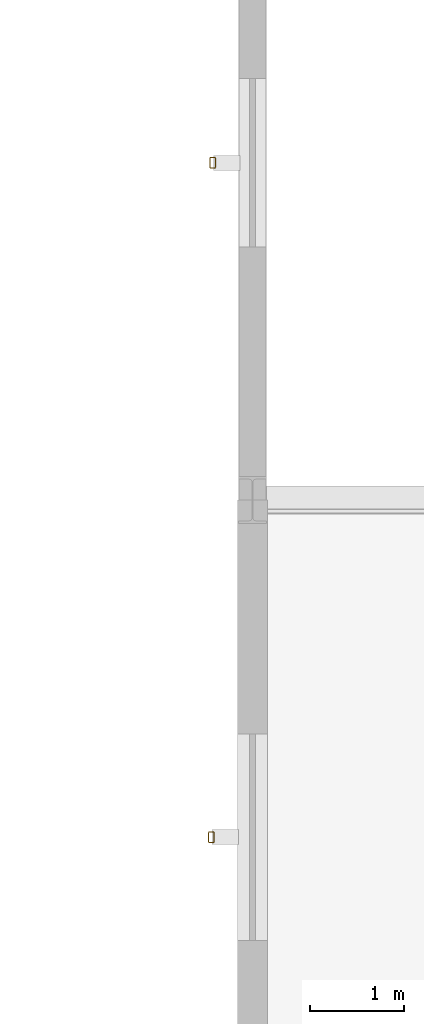
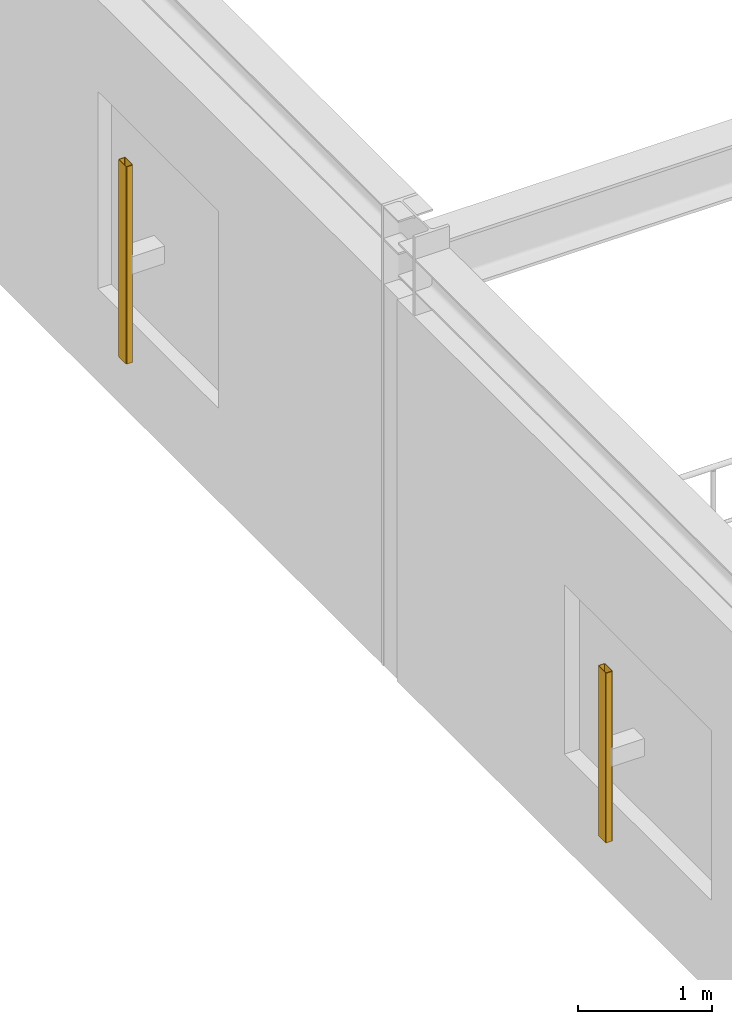
# One storey, part 87 of 109: 2 shading devices.
"""IFC4 building model written with IfcOpenShell, lengths in metres."""

import ifcopenshell
import ifcopenshell.guid

model = None  # the IFC model being written
_history = None  # IfcOwnerHistory: only IFC2X3 demands one
_inside = {}  # id of a spatial element -> (the spatial element, [elements in it])
_under = {}  # id of a project, library or spatial element -> (it, [spatial elements below it])
_declared = {}  # id of a project -> (the project, [libraries it declares])
_typed = {}  # id of a type object -> (the type object, [elements of that type])
_made_of = {}  # id of a material, layer set ... -> (it, [elements and type objects made of it])


def new_model(schema):
    """Start an empty IFC model of exactly this schema.

    Asked for "IFC4X3", IfcOpenShell would pick the latest addendum, in which some entities
    have other attributes; the version numbers below select the first issue.
    IFC2X3 requires an IfcOwnerHistory on every rooted entity: one is made here for all.
    """
    global model, _history
    if schema == "IFC4X3":
        model = ifcopenshell.file(schema_version=(4, 3, 0, 0))
    else:
        model = ifcopenshell.file(schema=schema)
    _inside.clear()
    _under.clear()
    _declared.clear()
    _typed.clear()
    _made_of.clear()
    _history = None
    if model.schema == "IFC2X3":
        org = make("IfcOrganization", Name="unknown")
        user = make(
            "IfcPersonAndOrganization",
            ThePerson=make("IfcPerson", FamilyName="unknown"),
            TheOrganization=org,
        )
        app = make(
            "IfcApplication",
            ApplicationDeveloper=org,
            Version="unknown",
            ApplicationFullName="unknown",
            ApplicationIdentifier="unknown",
        )
        _history = make(
            "IfcOwnerHistory",
            OwningUser=user,
            OwningApplication=app,
            ChangeAction="ADDED",
            CreationDate=0,
        )
    return model


def make(cls, **values):
    """One entity of the class cls with the attributes given. An attribute that is None is left unset."""
    return model.create_entity(
        cls, **{name: value for name, value in values.items() if value is not None}
    )


def rooted(cls, **values):
    """An entity with a GlobalId (a new one), such as an element, a storey or a relation."""
    return make(cls, GlobalId=ifcopenshell.guid.new(), OwnerHistory=_history, **values)


def si_unit(unit_type, name, prefix=None):
    """IfcSIUnit, for example si_unit("LENGTHUNIT", "METRE", prefix="MILLI")."""
    return make("IfcSIUnit", UnitType=unit_type, Prefix=prefix, Name=name)


def derived_unit(unit_type, elements):
    """IfcDerivedUnit: a product of units, each with its exponent."""
    return make(
        "IfcDerivedUnit",
        Elements=[
            make("IfcDerivedUnitElement", Unit=unit, Exponent=power)
            for unit, power in elements
        ],
        UnitType=unit_type,
    )


def assignment(units):
    """IfcUnitAssignment: the units of a project."""
    return None if units is None else make("IfcUnitAssignment", Units=units)


def point(xyz):
    """IfcCartesianPoint."""
    return None if xyz is None else make("IfcCartesianPoint", Coordinates=xyz)


def direction(xyz):
    """IfcDirection."""
    return None if xyz is None else make("IfcDirection", DirectionRatios=xyz)


def frame(location, z_axis=None, x_axis=None):
    """IfcAxis2Placement3D, a coordinate frame: its origin and axes. An axis left out is left unset."""
    return make(
        "IfcAxis2Placement3D",
        Location=point(location),
        Axis=direction(z_axis),
        RefDirection=direction(x_axis),
    )


def frame_2d(location, x_axis=None):
    """IfcAxis2Placement2D, a coordinate frame in the plane: its origin and x axis."""
    return make(
        "IfcAxis2Placement2D", Location=point(location), RefDirection=direction(x_axis)
    )


def origin():
    """The frame at (0, 0, 0) with its axes left unset."""
    return frame((0.0, 0.0, 0.0))


def origin_2d():
    """The frame at (0, 0) in the plane with its x axis left unset."""
    return frame_2d((0.0, 0.0))


def place(relative_to, where):
    """IfcLocalPlacement: puts the frame where relative to a parent placement (None: the world)."""
    return make(
        "IfcLocalPlacement", PlacementRelTo=relative_to, RelativePlacement=where
    )


def context(
    kind, dimensions, precision=None, world=None, true_north=None, identifier=None
):
    """IfcGeometricRepresentationContext, for example the 3D "Model" context."""
    return make(
        "IfcGeometricRepresentationContext",
        ContextIdentifier=identifier,
        ContextType=kind,
        CoordinateSpaceDimension=dimensions,
        Precision=precision,
        WorldCoordinateSystem=world,
        TrueNorth=true_north,
    )


def subcontext(parent, identifier, kind, view, scale=None):
    """IfcGeometricRepresentationSubContext, for example "Body" below "Model"."""
    return make(
        "IfcGeometricRepresentationSubContext",
        ContextIdentifier=identifier,
        ContextType=kind,
        ParentContext=parent,
        TargetScale=scale,
        TargetView=view,
    )


def project(units=None, contexts=None):
    """IfcProject with its units and contexts."""
    return rooted(
        "IfcProject",
        Name="project",
        RepresentationContexts=contexts,
        UnitsInContext=assignment(units),
    )


def spatial(cls, under=None, at=None, **own):
    """A site, building, storey or space (cls), placed at a placement, below another one or the project."""
    s = rooted(cls, ObjectPlacement=at, **own)
    if under is not None:
        _under.setdefault(under.id(), (under, []))[1].append(s)
    return s


def profile(cls, at=None, kind="AREA", **sizes):
    """A parametric profile (cls). Its sizes go by their IFC names, for example OverallWidth=200.0."""
    return make(cls, ProfileType=kind, Position=at, **sizes)


def hollow_rectangle(**sizes):
    """IfcRectangleHollowProfileDef."""
    return profile("IfcRectangleHollowProfileDef", **sizes)


def extrude(swept, where, along, depth):
    """IfcExtrudedAreaSolid: the profile swept, set in the frame where, extruded along a direction by depth."""
    return make(
        "IfcExtrudedAreaSolid",
        SweptArea=swept,
        Position=where,
        ExtrudedDirection=direction(along),
        Depth=depth,
    )


def shape(context_of_items, identifier, shape_type, items):
    """IfcShapeRepresentation: the items that make up one representation, for example the "Body"."""
    return make(
        "IfcShapeRepresentation",
        ContextOfItems=context_of_items,
        RepresentationIdentifier=identifier,
        RepresentationType=shape_type,
        Items=items,
    )


def material(Name=None, Category=None):
    """IfcMaterial."""
    return make("IfcMaterial", Name=Name, Category=Category)


def material_profile(
    of_material, cross_section, Name=None, Category=None, Priority=None
):
    """IfcMaterialProfile: a cross section and its material."""
    return make(
        "IfcMaterialProfile",
        Name=Name,
        Material=of_material,
        Profile=cross_section,
        Priority=Priority,
        Category=Category,
    )


def profile_set(profiles, Name=None, composite=None):
    """IfcMaterialProfileSet."""
    return make(
        "IfcMaterialProfileSet",
        Name=Name,
        MaterialProfiles=profiles,
        CompositeProfile=composite,
    )


def made_of(thing, what):
    """Note that an element or type object is made of a material, layer set ...; save() writes the relation."""
    if what is not None:
        _made_of.setdefault(what.id(), (what, []))[1].append(thing)
    return thing


def type_object(cls, material=None, **own):
    """A type object (cls), such as IfcWallType, which elements share."""
    return made_of(rooted(cls, **own), material)


def element(
    cls,
    number,
    at=None,
    inside=None,
    cuts=None,
    type_object=None,
    material=None,
    context=None,
    identifier="Body",
    shape_type=None,
    held_by="IfcProductDefinitionShape",
    body=None,
    shapes=None,
    **own,
):
    """One element of the class cls, such as IfcWall. Its Tag is "e" and its number.

    at: its placement. inside: the storey or other place that contains it. cuts: it is an
    opening in that element (IfcRelVoidsElement). A single representation is given by context,
    identifier, shape_type and body (its items); several are given by shapes. held_by: the class
    of the entity that holds the representations. save() writes the other relations.
    """
    e = rooted(cls, Tag="e%d" % number, ObjectPlacement=at, **own)
    if body is not None:
        shapes = [shape(context, identifier, shape_type, body)]
    if shapes is not None:
        e.Representation = make(held_by, Representations=shapes)
    if inside is not None:
        _inside.setdefault(inside.id(), (inside, []))[1].append(e)
    if cuts is not None:
        rooted(
            "IfcRelVoidsElement", RelatingBuildingElement=cuts, RelatedOpeningElement=e
        )
    if type_object is not None:
        _typed.setdefault(type_object.id(), (type_object, []))[1].append(e)
    return made_of(e, material)


def aggregate(whole, parts):
    """IfcRelAggregates: a whole, such as a stair, and the parts it consists of."""
    return rooted("IfcRelAggregates", RelatingObject=whole, RelatedObjects=parts)


def save(model, path):
    """Write the relations noted so far, then the file.

    IfcRelAggregates (storeys below a building ...), IfcRelContainedInSpatialStructure (elements
    in a storey), IfcRelDefinesByType, IfcRelAssociatesMaterial and IfcRelDeclares: one each for
    every whole, place, type object, material and project.
    """
    for whole, parts in _under.values():
        aggregate(whole, parts)
    for where, things in _inside.values():
        rooted(
            "IfcRelContainedInSpatialStructure",
            RelatedElements=things,
            RelatingStructure=where,
        )
    for kind, things in _typed.values():
        rooted("IfcRelDefinesByType", RelatedObjects=things, RelatingType=kind)
    for what, things in _made_of.values():
        rooted("IfcRelAssociatesMaterial", RelatedObjects=things, RelatingMaterial=what)
    for by, libraries in _declared.values():
        rooted("IfcRelDeclares", RelatingContext=by, RelatedDefinitions=libraries)
    model.write(path)


model = new_model("IFC4")

# Units and contexts
model_context = context("Model", 3, precision=1e-05, world=origin(), true_north=direction((0.0, 1.0)))
body_context = subcontext(model_context, "Body", "Model", "MODEL_VIEW")
ifc_project = project(units=[si_unit("LENGTHUNIT", "METRE"), si_unit("AREAUNIT", "SQUARE_METRE"), si_unit("VOLUMEUNIT", "CUBIC_METRE"), si_unit("PLANEANGLEUNIT", "RADIAN"), si_unit("MASSUNIT", "GRAM", prefix="KILO"), derived_unit("THERMALTRANSMITTANCEUNIT", [(si_unit("MASSUNIT", "GRAM", prefix="KILO"), 1), (si_unit("TIMEUNIT", "SECOND"), -3), (si_unit("THERMODYNAMICTEMPERATUREUNIT", "KELVIN"), -1)])], contexts=[model_context])

# Site, building, storey
site_placement = place(None, origin())
site = spatial("IfcSite", under=ifc_project, at=site_placement, CompositionType="ELEMENT")
building_placement = place(site_placement, origin())
building = spatial("IfcBuilding", under=site, at=building_placement, Name="Kharveza Railside Sports Centre", CompositionType="ELEMENT")
storey_placement = place(building_placement, frame((0.0, 0.0, 4.5)))
storey = spatial("IfcBuildingStorey", under=building, at=storey_placement, Name="L01", CompositionType="ELEMENT", Elevation=4.5)

# Shading devices
ifc_material = material(Name="Anodised aluminium 6063-T6", Category="aluminium")
ifc_material_profile = material_profile(ifc_material, hollow_rectangle(XDim=0.06005859375, YDim=0.1201171875, WallThickness=0.0048828125, InnerFilletRadius=0.0048828125, OuterFilletRadius=0.010009765625, at=origin_2d()), Name="RHS 60x120x5.0")
ifc_profile_set = profile_set([ifc_material_profile], Name="Anodised aluminium 6063-T6")
shading_device_type = type_object("IfcShadingDeviceType", Name="SD-LV01", PredefinedType="JALOUSIE", material=ifc_profile_set)
shading_device_1_placement = place(storey_placement, frame((91.97509765625, 82.800048828125, 0.85009765625), z_axis=(0.0, 0.0, 1.0), x_axis=(-1.0, 0.0, 0.0)))
element("IfcShadingDevice", 1, at=shading_device_1_placement, inside=storey, type_object=shading_device_type, Name="SD-FIN-053", PredefinedType="JALOUSIE", context=body_context, shape_type="SweptSolid", body=[
    extrude(hollow_rectangle(XDim=0.06005859375, YDim=0.1201171875, WallThickness=0.0048828125, InnerFilletRadius=0.0048828125, OuterFilletRadius=0.010009765625, at=origin_2d()), origin(), (0.0, 0.0, 1.0), 1.7998046875),
])
shading_device_2_placement = place(storey_placement, frame((91.9599609375, 75.60009765625, 0.85009765625), z_axis=(0.0, 0.0, 1.0), x_axis=(-1.0, 0.0, 0.0)))
element("IfcShadingDevice", 2, at=shading_device_2_placement, inside=storey, type_object=shading_device_type, Name="SD-FIN-054", PredefinedType="JALOUSIE", context=body_context, shape_type="SweptSolid", body=[
    extrude(hollow_rectangle(XDim=0.06005859375, YDim=0.1201171875, WallThickness=0.0048828125, InnerFilletRadius=0.0048828125, OuterFilletRadius=0.010009765625, at=origin_2d()), origin(), (0.0, 0.0, 1.0), 1.5498046875),
])

save(model, "model.ifc")
